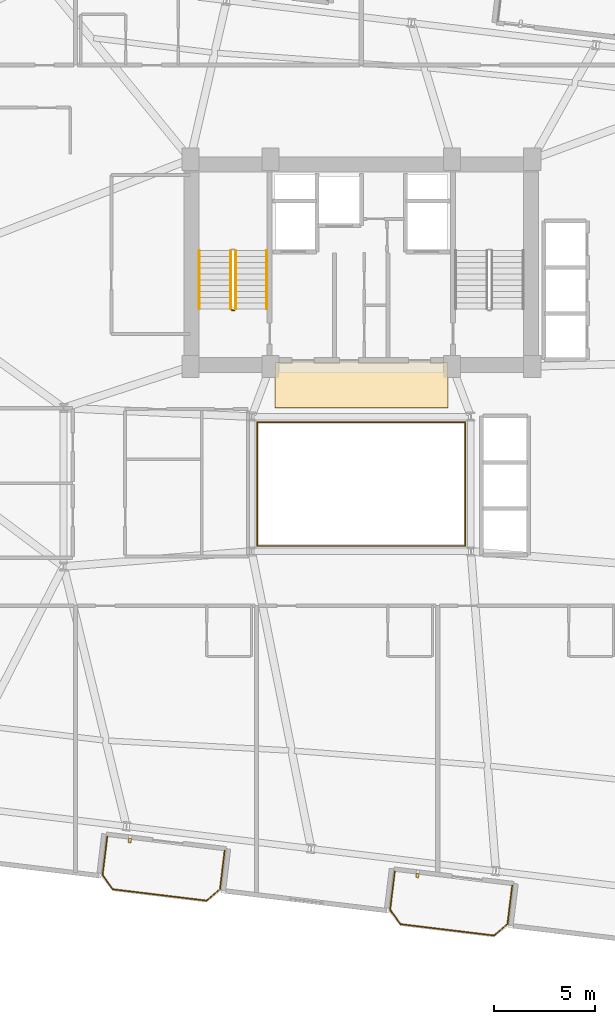
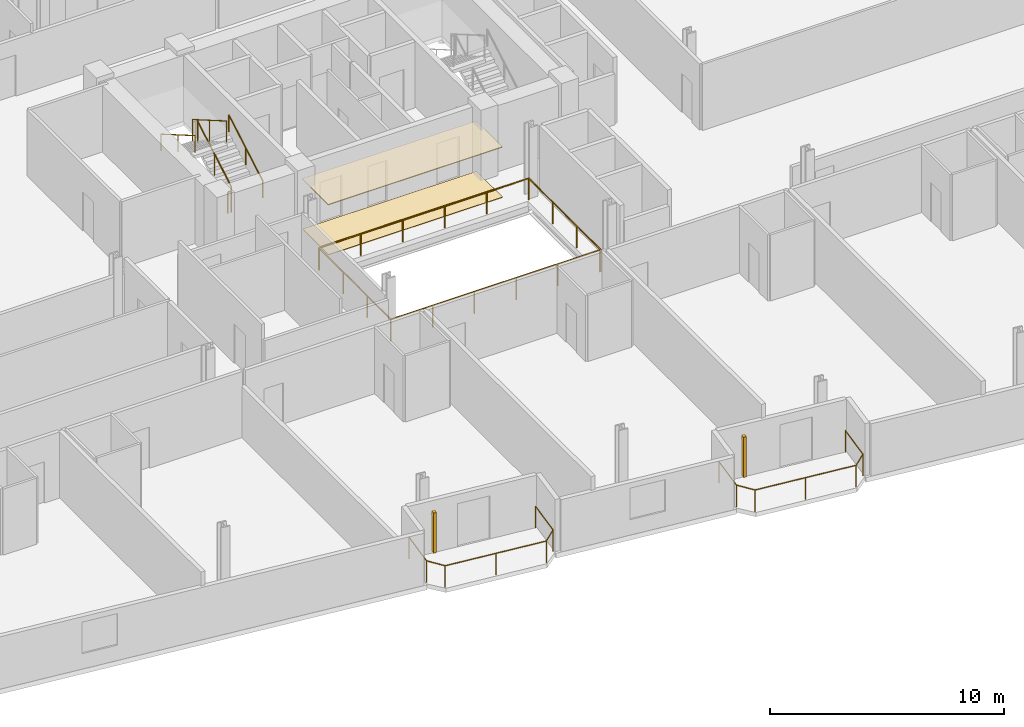
# One storey, part 25 of 26: 9 railings, 2 coverings, 2 shading devices.
"""IFC4 building model written with IfcOpenShell, lengths in metres."""

from ifc_helpers import new_model, si_unit, direction, frame, origin, origin_2d, place, context, subcontext, project, spatial, rectangle, circle, extrude, source, transform, mapped, material, layer, layer_set, type_object, element, save


model = new_model("IFC4")

# Units and contexts
model_context = context("Model", 3, precision=1e-05, world=origin(), true_north=direction((0.0, 1.0)))
body_context = subcontext(model_context, "Body", "Model", "MODEL_VIEW")
ifc_project = project(units=[si_unit("LENGTHUNIT", "METRE"), si_unit("AREAUNIT", "SQUARE_METRE"), si_unit("VOLUMEUNIT", "CUBIC_METRE"), si_unit("PLANEANGLEUNIT", "RADIAN"), si_unit("MASSUNIT", "GRAM", prefix="KILO")], contexts=[model_context])

# Site, building, storey
site_placement = place(None, origin())
site = spatial("IfcSite", under=ifc_project, at=site_placement, CompositionType="ELEMENT")
building_placement = place(site_placement, origin())
building = spatial("IfcBuilding", under=site, at=building_placement, Name="Varnelok Gate Tower", CompositionType="ELEMENT")
storey_placement = place(building_placement, frame((0.0, 0.0, 147.60009765625)))
storey = spatial("IfcBuildingStorey", under=building, at=storey_placement, Name="L37", CompositionType="ELEMENT", Elevation=147.60009765625)

# Railings
ifc_material_1 = material(Name="Tempered Laminated Balustrade Glass", Category="glass")
railing_type_1 = type_object("IfcRailingType", Name="RL-ATR-GUARD1150", PredefinedType="GUARDRAIL", material=ifc_material_1)
railing_1_placement = place(storey_placement, frame((34.02001953125, 25.929931640625, 0.0)))
element("IfcRailing", 1, at=railing_1_placement, inside=storey, type_object=railing_type_1, Name="L37 Internal Atrium South-West Guardrail", PredefinedType="GUARDRAIL", context=body_context, shape_type="SweptSolid", body=[
    extrude(circle(Radius=0.02392578125, at=origin_2d()), frame((0.0, 0.0, 1.1259765625), z_axis=(0.0, -1.0, 0.0), x_axis=(1.0, 0.0, 0.0)), (0.0, 0.0, 1.0), 6.10986328125),
    extrude(circle(Radius=0.02392578125, at=origin_2d()), frame((0.0, -6.10986328125, 1.1259765625), z_axis=(1.0, 0.0, 0.0), x_axis=(0.0, 1.0, 0.0)), (0.0, 0.0, 1.0), 10.31005859375),
    extrude(circle(Radius=0.02099609375, at=origin_2d()), origin(), (0.0, 0.0, 1.0), 1.101806640625),
    extrude(circle(Radius=0.02099609375, at=origin_2d()), frame((0.0, -2.03662109375, 0.0)), (0.0, 0.0, 1.0), 1.101806640625),
    extrude(circle(Radius=0.02099609375, at=origin_2d()), frame((0.0, -4.0732421875, 0.0)), (0.0, 0.0, 1.0), 1.101806640625),
    extrude(circle(Radius=0.02099609375, at=origin_2d()), frame((0.0, -6.10986328125, 0.0)), (0.0, 0.0, 1.0), 1.101806640625),
    extrude(circle(Radius=0.02099609375, at=origin_2d()), frame((2.06201171875, -6.10986328125, 0.0)), (0.0, 0.0, 1.0), 1.101806640625),
    extrude(circle(Radius=0.02099609375, at=origin_2d()), frame((4.1240234375, -6.10986328125, 0.0)), (0.0, 0.0, 1.0), 1.101806640625),
    extrude(circle(Radius=0.02099609375, at=origin_2d()), frame((6.18603515625, -6.10986328125, 0.0)), (0.0, 0.0, 1.0), 1.101806640625),
    extrude(circle(Radius=0.02099609375, at=origin_2d()), frame((8.248046875, -6.10986328125, 0.0)), (0.0, 0.0, 1.0), 1.101806640625),
    extrude(circle(Radius=0.02099609375, at=origin_2d()), frame((10.31005859375, -6.10986328125, 0.0)), (0.0, 0.0, 1.0), 1.101806640625),
])
railing_2_placement = place(storey_placement, frame((44.3798828125, 19.820068359375, 0.0)))
element("IfcRailing", 2, at=railing_2_placement, inside=storey, type_object=railing_type_1, Name="L37 Internal Atrium North-East Guardrail", PredefinedType="GUARDRAIL", context=body_context, shape_type="SweptSolid", body=[
    extrude(circle(Radius=0.02392578125, at=origin_2d()), frame((0.0, 0.0, 1.1259765625), z_axis=(0.0, 1.0, 0.0), x_axis=(-1.0, 0.0, 0.0)), (0.0, 0.0, 1.0), 6.159912109375),
    extrude(circle(Radius=0.02392578125, at=origin_2d()), frame((0.0, 6.159912109375, 1.1259765625), z_axis=(-1.0, 0.0, 0.0), x_axis=(0.0, -1.0, 0.0)), (0.0, 0.0, 1.0), 10.35986328125),
    extrude(circle(Radius=0.02099609375, at=origin_2d()), origin(), (0.0, 0.0, 1.0), 1.101806640625),
    extrude(circle(Radius=0.02099609375, at=origin_2d()), frame((0.0, 2.05322265625, 0.0)), (0.0, 0.0, 1.0), 1.101806640625),
    extrude(circle(Radius=0.02099609375, at=origin_2d()), frame((0.0, 4.106689453125, 0.0)), (0.0, 0.0, 1.0), 1.101806640625),
    extrude(circle(Radius=0.02099609375, at=origin_2d()), frame((0.0, 6.159912109375, 0.0)), (0.0, 0.0, 1.0), 1.101806640625),
    extrude(circle(Radius=0.02099609375, at=origin_2d()), frame((-2.072021484375, 6.159912109375, 0.0)), (0.0, 0.0, 1.0), 1.101806640625),
    extrude(circle(Radius=0.02099609375, at=origin_2d()), frame((-4.14404296875, 6.159912109375, 0.0)), (0.0, 0.0, 1.0), 1.101806640625),
    extrude(circle(Radius=0.02099609375, at=origin_2d()), frame((-6.2158203125, 6.159912109375, 0.0)), (0.0, 0.0, 1.0), 1.101806640625),
    extrude(circle(Radius=0.02099609375, at=origin_2d()), frame((-8.287841796875, 6.159912109375, 0.0)), (0.0, 0.0, 1.0), 1.101806640625),
    extrude(circle(Radius=0.02099609375, at=origin_2d()), frame((-10.35986328125, 6.159912109375, 0.0)), (0.0, 0.0, 1.0), 1.101806640625),
])
ifc_material_2 = material(Name="Low-E Laminated Double Glazing IGU", Category="glass")
railing_type_2 = type_object("IfcRailingType", Name="RL-BALC-1150", PredefinedType="BALUSTRADE", material=ifc_material_2)
railing_3_placement = place(storey_placement, frame((26.5703125, 5.375, 0.0)))
element("IfcRailing", 3, at=railing_3_placement, inside=storey, type_object=railing_type_2, Name="L37 South Terrace Balustrade 1", PredefinedType="BALUSTRADE", context=body_context, shape_type="SweptSolid", body=[
    extrude(circle(Radius=0.02392578125, at=origin_2d()), frame((0.0, 0.0, 1.1259765625), z_axis=(-0.120293392036, -0.992738384386, 0.0), x_axis=(0.992738384386, -0.120293392036, 0.0)), (0.0, 0.0, 1.0), 1.919921875),
    extrude(circle(Radius=0.02392578125, at=origin_2d()), frame((-0.23095703125, -1.906005859375, 1.1259765625), z_axis=(0.577971037086, -0.816057277579, 0.0), x_axis=(0.816057277579, 0.577971037086, 0.0)), (0.0, 0.0, 1.0), 0.877685546875),
    extrude(circle(Radius=0.02392578125, at=origin_2d()), frame((0.2763671875, -2.622314453125, 1.1259765625), z_axis=(0.992737542139, -0.120300342591, 0.0), x_axis=(0.120300342591, 0.992737542139, 0.0)), (0.0, 0.0, 1.0), 4.7001953125),
    extrude(circle(Radius=0.02392578125, at=origin_2d()), frame((4.9423828125, -3.187744140625, 1.1259765625), z_axis=(0.756303655992, 0.654220742513, 0.0), x_axis=(-0.654220742513, 0.756303655992, 0.0)), (0.0, 0.0, 1.0), 0.877685546875),
    extrude(circle(Radius=0.02392578125, at=origin_2d()), frame((5.606201171875, -2.613525390625, 1.1259765625), z_axis=(0.120418709125, 0.992723191274, 0.0), x_axis=(-0.992723191274, 0.120418709125, 0.0)), (0.0, 0.0, 1.0), 1.919921875),
    extrude(circle(Radius=0.02099609375, at=origin_2d()), origin(), (0.0, 0.0, 1.0), 1.101806640625),
    extrude(circle(Radius=0.02099609375, at=origin_2d()), frame((-0.23095703125, -1.906005859375, 0.0)), (0.0, 0.0, 1.0), 1.101806640625),
    extrude(circle(Radius=0.02099609375, at=origin_2d()), frame((0.2763671875, -2.622314453125, 0.0)), (0.0, 0.0, 1.0), 1.101806640625),
    extrude(circle(Radius=0.02099609375, at=origin_2d()), frame((2.609375, -2.905029296875, 0.0)), (0.0, 0.0, 1.0), 1.101806640625),
    extrude(circle(Radius=0.02099609375, at=origin_2d()), frame((4.9423828125, -3.187744140625, 0.0)), (0.0, 0.0, 1.0), 1.101806640625),
    extrude(circle(Radius=0.02099609375, at=origin_2d()), frame((5.606201171875, -2.613525390625, 0.0)), (0.0, 0.0, 1.0), 1.101806640625),
    extrude(circle(Radius=0.02099609375, at=origin_2d()), frame((5.83740234375, -0.70751953125, 0.0)), (0.0, 0.0, 1.0), 1.101806640625),
])
railing_4_placement = place(storey_placement, frame((40.86572265625, 3.64208984375, 0.0)))
element("IfcRailing", 4, at=railing_4_placement, inside=storey, type_object=railing_type_2, Name="L37 South Terrace Balustrade 2", PredefinedType="BALUSTRADE", context=body_context, shape_type="SweptSolid", body=[
    extrude(circle(Radius=0.02392578125, at=origin_2d()), frame((0.0, 0.0, 1.1259765625), z_axis=(-0.120418709125, -0.992723191274, 0.0), x_axis=(0.992723191274, -0.120418709125, 0.0)), (0.0, 0.0, 1.0), 1.919921875),
    extrude(circle(Radius=0.02392578125, at=origin_2d()), frame((-0.231201171875, -1.906005859375, 1.1259765625), z_axis=(0.57815621837, -0.815926091726, 0.0), x_axis=(0.815926091726, 0.57815621837, 0.0)), (0.0, 0.0, 1.0), 0.8779296875),
    extrude(circle(Radius=0.02392578125, at=origin_2d()), frame((0.2763671875, -2.622314453125, 1.1259765625), z_axis=(0.99273133746, -0.120351533534, 0.0), x_axis=(0.120351533534, 0.99273133746, 0.0)), (0.0, 0.0, 1.0), 4.7001953125),
    extrude(circle(Radius=0.02392578125, at=origin_2d()), frame((4.9423828125, -3.18798828125, 1.1259765625), z_axis=(0.756166036083, 0.654379802465, 0.0), x_axis=(-0.654379802465, 0.756166036083, 0.0)), (0.0, 0.0, 1.0), 0.8779296875),
    extrude(circle(Radius=0.02392578125, at=origin_2d()), frame((5.606201171875, -2.613525390625, 1.1259765625), z_axis=(0.120293392036, 0.992738384386, 0.0), x_axis=(-0.992738384386, 0.120293392036, 0.0)), (0.0, 0.0, 1.0), 1.919921875),
    extrude(circle(Radius=0.02099609375, at=origin_2d()), origin(), (0.0, 0.0, 1.0), 1.101806640625),
    extrude(circle(Radius=0.02099609375, at=origin_2d()), frame((-0.231201171875, -1.906005859375, 0.0)), (0.0, 0.0, 1.0), 1.101806640625),
    extrude(circle(Radius=0.02099609375, at=origin_2d()), frame((0.2763671875, -2.622314453125, 0.0)), (0.0, 0.0, 1.0), 1.101806640625),
    extrude(circle(Radius=0.02099609375, at=origin_2d()), frame((2.609375, -2.9052734375, 0.0)), (0.0, 0.0, 1.0), 1.101806640625),
    extrude(circle(Radius=0.02099609375, at=origin_2d()), frame((4.9423828125, -3.18798828125, 0.0)), (0.0, 0.0, 1.0), 1.101806640625),
    extrude(circle(Radius=0.02099609375, at=origin_2d()), frame((5.606201171875, -2.613525390625, 0.0)), (0.0, 0.0, 1.0), 1.101806640625),
    extrude(circle(Radius=0.02099609375, at=origin_2d()), frame((5.837158203125, -0.70751953125, 0.0)), (0.0, 0.0, 1.0), 1.101806640625),
])
ifc_material_3 = material(Name="Brushed Stainless Steel AISI 316", Category="steel")
railing_type_3 = type_object("IfcRailingType", Name="RL-HANDRAIL-900", PredefinedType="HANDRAIL", material=ifc_material_3)
railing_5_placement = place(storey_placement, frame((34.5, 31.60009765625, 0.16796875)))
element("IfcRailing", 5, at=railing_5_placement, inside=storey, type_object=railing_type_3, Name="L37 ST-1 stair handrail 1", PredefinedType="HANDRAIL", context=body_context, shape_type="SweptSolid", body=[
    extrude(circle(Radius=0.02392578125, at=origin_2d()), frame((0.0, 0.0, 0.8759765625), z_axis=(0.0, 0.865038774852, 0.501705010941), x_axis=(-1.0, 0.0, 0.0)), (0.0, 0.0, 1.0), 3.352294921875),
    extrude(circle(Radius=0.02099609375, at=origin_2d()), origin(), (0.0, 0.0, 1.0), 0.851806640625),
    extrude(circle(Radius=0.02099609375, at=origin_2d()), frame((0.0, 1.449951171875, 0.8408203125)), (0.0, 0.0, 1.0), 0.851806640625),
    extrude(circle(Radius=0.02099609375, at=origin_2d()), frame((0.0, 2.89990234375, 1.681884765625)), (0.0, 0.0, 1.0), 0.851806640625),
])
railing_6_placement = place(storey_placement, frame((31.14990234375, 34.5, 2.01806640625)))
element("IfcRailing", 6, at=railing_6_placement, inside=storey, type_object=railing_type_3, Name="L37 ST-1 stair handrail 2", PredefinedType="HANDRAIL", context=body_context, shape_type="SweptSolid", body=[
    extrude(circle(Radius=0.02392578125, at=origin_2d()), frame((0.0, 0.0, 0.8759765625), z_axis=(0.0, -0.865038774852, 0.501705010941), x_axis=(1.0, 0.0, 0.0)), (0.0, 0.0, 1.0), 3.352294921875),
    extrude(circle(Radius=0.02099609375, at=origin_2d()), origin(), (0.0, 0.0, 1.0), 0.851806640625),
    extrude(circle(Radius=0.02099609375, at=origin_2d()), frame((0.0, -1.449951171875, 0.8408203125)), (0.0, 0.0, 1.0), 0.851806640625),
    extrude(circle(Radius=0.02099609375, at=origin_2d()), frame((0.0, -2.89990234375, 1.681884765625)), (0.0, 0.0, 1.0), 0.851806640625),
])
ifc_material_4 = material(Name="Galvanized Steel Grade S350GD", Category="steel")
railing_type_4 = type_object("IfcRailingType", Name="RL-STAIR-GUARD1120", PredefinedType="GUARDRAIL", material=ifc_material_4)
railing_7_placement = place(storey_placement, frame((32.949951171875, 31.60009765625, 0.16796875)))
element("IfcRailing", 7, at=railing_7_placement, inside=storey, type_object=railing_type_4, Name="L37 ST-1 stair guard 1", PredefinedType="GUARDRAIL", context=body_context, shape_type="SweptSolid", body=[
    extrude(circle(Radius=0.02392578125, at=origin_2d()), frame((0.0, 0.0, 1.09619140625), z_axis=(0.0, 0.865038774852, 0.501705010941), x_axis=(-1.0, 0.0, 0.0)), (0.0, 0.0, 1.0), 3.352294921875),
    extrude(circle(Radius=0.02099609375, at=origin_2d()), origin(), (0.0, 0.0, 1.0), 1.072021484375),
    extrude(circle(Radius=0.02099609375, at=origin_2d()), frame((0.0, 1.449951171875, 0.8408203125)), (0.0, 0.0, 1.0), 1.072021484375),
    extrude(circle(Radius=0.02099609375, at=origin_2d()), frame((0.0, 2.89990234375, 1.681884765625)), (0.0, 0.0, 1.0), 1.072021484375),
])
railing_8_placement = place(storey_placement, frame((32.699951171875, 34.5, 2.01806640625)))
element("IfcRailing", 8, at=railing_8_placement, inside=storey, type_object=railing_type_4, Name="L37 ST-1 stair guard 3", PredefinedType="GUARDRAIL", context=body_context, shape_type="SweptSolid", body=[
    extrude(circle(Radius=0.02392578125, at=origin_2d()), frame((0.0, 0.0, 1.09619140625), z_axis=(0.0, -0.865038774852, 0.501705010941), x_axis=(1.0, 0.0, 0.0)), (0.0, 0.0, 1.0), 3.352294921875),
    extrude(circle(Radius=0.02099609375, at=origin_2d()), origin(), (0.0, 0.0, 1.0), 1.072021484375),
    extrude(circle(Radius=0.02099609375, at=origin_2d()), frame((0.0, -1.449951171875, 0.8408203125)), (0.0, 0.0, 1.0), 1.072021484375),
    extrude(circle(Radius=0.02099609375, at=origin_2d()), frame((0.0, -2.89990234375, 1.681884765625)), (0.0, 0.0, 1.0), 1.072021484375),
])
railing_9_placement = place(storey_placement, frame((32.89990234375, 31.550048828125, 0.0)))
element("IfcRailing", 9, at=railing_9_placement, inside=storey, type_object=railing_type_4, Name="L37 ST-1 stair guard 4", PredefinedType="GUARDRAIL", context=body_context, shape_type="SweptSolid", body=[
    extrude(circle(Radius=0.02392578125, at=origin_2d()), frame((0.0, 0.0, 1.09619140625), z_axis=(-1.0, 0.0, 0.0), x_axis=(0.0, -1.0, 0.0)), (0.0, 0.0, 1.0), 0.14990234375),
    extrude(circle(Radius=0.02099609375, at=origin_2d()), origin(), (0.0, 0.0, 1.0), 1.072021484375),
    extrude(circle(Radius=0.02099609375, at=origin_2d()), frame((-0.14990234375, 0.0, 0.0)), (0.0, 0.0, 1.0), 1.072021484375),
])

# Shading devices
ifc_material_5 = material(Name="Glazed Architectural Terracotta Ceramic", Category="masonry")
shading_device_type = type_object("IfcShadingDeviceType", Name="SHD-TERRA-FIN", PredefinedType="USERDEFINED", material=ifc_material_5)
shared_shape_1 = source(origin(), body_context, "Body", "SweptSolid", [
    extrude(rectangle(XDim=0.139892578125, YDim=0.219970703125, at=origin_2d()), origin(), (0.0, 0.0, 1.0), 2.10009765625),
])
for number, where, z_axis, x_axis, name in (
    (10, (27.693603515625, 5.16845703125, 0.099853515625), (0.0, 0.0, 1.0), (0.992732158755, -0.12034475881, 0.0), "L37 Terracotta Ceramic Baguette Sunscreen 1.1"),
    (11, (41.989013671875, 3.435546875, 0.099853515625), (0.0, 0.0, 1.0), (0.992732158755, -0.12034475881, 0.0), "L37 Terracotta Ceramic Baguette Sunscreen 2.1"),
):
    element("IfcShadingDevice", number, at=place(storey_placement, frame(where, z_axis=z_axis, x_axis=x_axis)), inside=storey, type_object=shading_device_type, Name=name, ObjectType="BAGUETTE", PredefinedType="USERDEFINED", context=body_context, shape_type="MappedRepresentation", body=[
        mapped(shared_shape_1, transform((0.0, 0.0, 0.0), scale=1.0)),
    ])

# Coverings
ifc_material_6 = material(Name="Honed Travertine Stone Flooring", Category="masonry")
ifc_layer_1 = layer(ifc_material_6, 0.02490234375)
ifc_layer_set_1 = layer_set([ifc_layer_1], Name="Honed Travertine Stone Flooring")
covering_type_1 = type_object("IfcCoveringType", Name="COV-FLOR-STONE", PredefinedType="FLOORING", material=ifc_layer_set_1)
shared_shape_2 = source(origin(), body_context, "Body", "SweptSolid", [
    extrude(rectangle(XDim=8.60009765625, YDim=2.219970703125, at=origin_2d()), origin(), (0.0, 0.0, 1.0), 0.02490234375),
])
covering_1_placement = place(storey_placement, frame((39.199951171875, 27.800048828125, 0.0), z_axis=(0.0, 0.0, 1.0), x_axis=(1.0, 0.0, 0.0)))
element("IfcCovering", 12, at=covering_1_placement, inside=storey, type_object=covering_type_1, Name="L37 Core Gallery Stone Flooring", PredefinedType="FLOORING", context=body_context, shape_type="MappedRepresentation", body=[
    mapped(shared_shape_2, transform((0.0, 0.0, 0.0), scale=1.0)),
])
ifc_material_7 = material(Name="Mineral Fiber Acoustic Ceiling Tile")
ifc_layer_2 = layer(ifc_material_7, 0.0400390625)
ifc_layer_set_2 = layer_set([ifc_layer_2], Name="Mineral Fiber Acoustic Ceiling Tile")
covering_type_2 = type_object("IfcCoveringType", Name="COV-CEIL-ACOUST", PredefinedType="CEILING", material=ifc_layer_set_2)
shared_shape_3 = source(origin(), body_context, "Body", "SweptSolid", [
    extrude(rectangle(XDim=8.60009765625, YDim=2.239990234375, at=origin_2d()), origin(), (0.0, 0.0, 1.0), 0.0400390625),
])
covering_2_placement = place(storey_placement, frame((39.199951171875, 27.820068359375, 2.599853515625), z_axis=(0.0, 0.0, 1.0), x_axis=(1.0, 0.0, 0.0)))
element("IfcCovering", 13, at=covering_2_placement, inside=storey, type_object=covering_type_2, Name="L37 Core Gallery Acoustic Ceiling", PredefinedType="CEILING", context=body_context, shape_type="MappedRepresentation", body=[
    mapped(shared_shape_3, transform((0.0, 0.0, 0.0), scale=1.0)),
])

save(model, "model.ifc")
